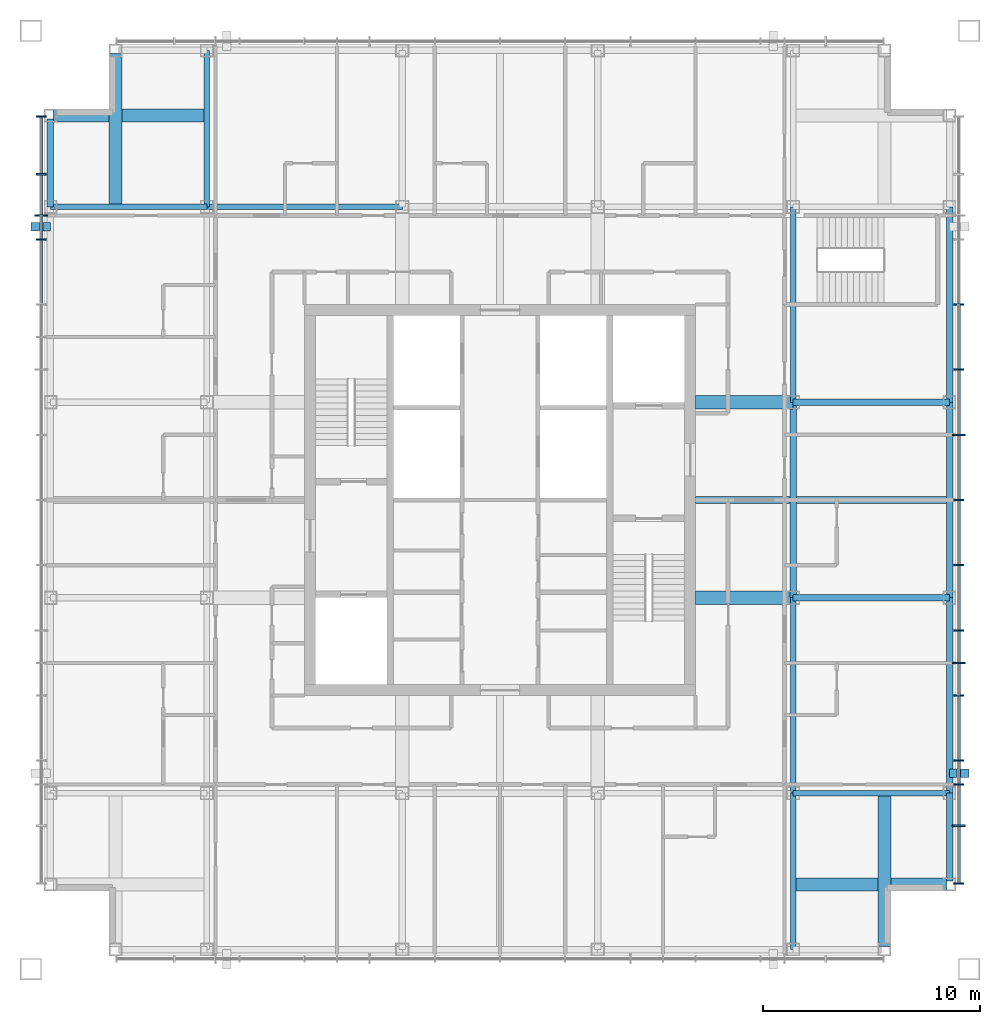
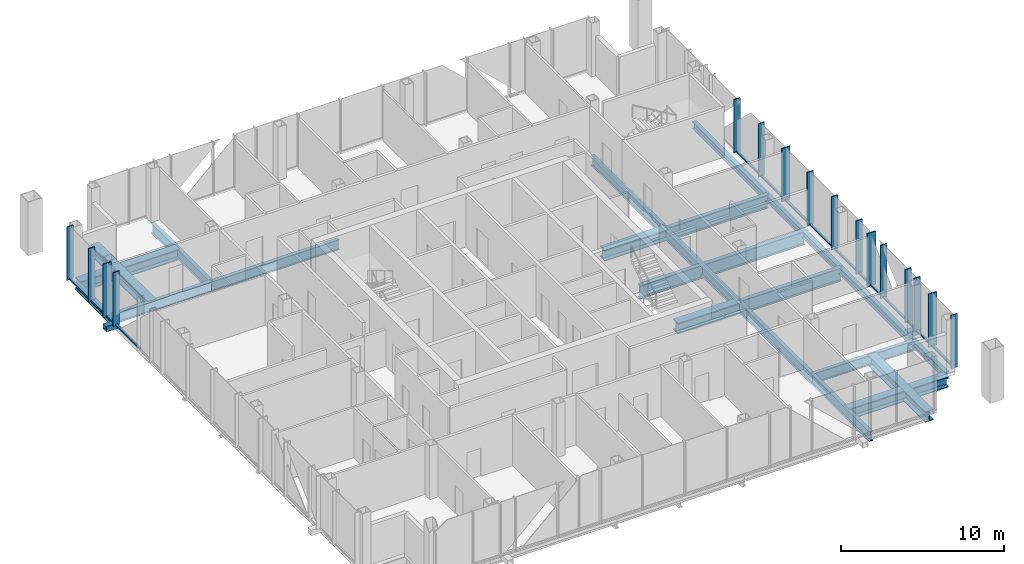
# One storey, part 4 of 14: 33 members, 22 beams, 2 elements without a shape of their own.
"""IFC4 building model written with IfcOpenShell, lengths in metres."""

from ifc_helpers import new_model, si_unit, direction, frame, origin, origin_2d, place, context, subcontext, project, spatial, rectangle, hollow_rectangle, i_section, extrude, material, layer, layer_set, material_profile, profile_set, type_object, element, aggregate, save


model = new_model("IFC4")

# Units and contexts
model_context = context("Model", 3, precision=1e-05, world=origin(), true_north=direction((0.0, 1.0)))
body_context = subcontext(model_context, "Body", "Model", "MODEL_VIEW")
ifc_project = project(units=[si_unit("LENGTHUNIT", "METRE"), si_unit("AREAUNIT", "SQUARE_METRE"), si_unit("VOLUMEUNIT", "CUBIC_METRE"), si_unit("PLANEANGLEUNIT", "RADIAN"), si_unit("MASSUNIT", "GRAM", prefix="KILO")], contexts=[model_context])

# Site, building, storey
site_placement = place(None, origin())
site = spatial("IfcSite", under=ifc_project, at=site_placement, CompositionType="ELEMENT")
building_placement = place(site_placement, origin())
building = spatial("IfcBuilding", under=site, at=building_placement, Name="Malebo Sky Hospital", CompositionType="ELEMENT")
storey_placement = place(building_placement, frame((0.0, 0.0, 258.0)))
storey = spatial("IfcBuildingStorey", under=building, at=storey_placement, Name="L62", CompositionType="ELEMENT", Elevation=258.0)

# Curtain wall, members
ifc_material_1 = material(Name="Anodised aluminium, natural silver", Category="aluminium")
ifc_layer = layer(ifc_material_1, 0.25)
ifc_layer_set = layer_set([ifc_layer], Name="WARD CURTAIN WALL EAST AND WEST")
curtain_wall_type = type_object("IfcCurtainWallType", Name="WARD CURTAIN WALL EAST AND WEST", PredefinedType="NOTDEFINED", material=ifc_layer_set)
curtain_wall_1_placement = place(storey_placement, origin())
curtain_wall_1 = element("IfcCurtainWall", 1, at=curtain_wall_1_placement, inside=storey, type_object=curtain_wall_type, Name="EW curtain wall W", PredefinedType="NOTDEFINED")
ifc_material_profile_1 = material_profile(ifc_material_1, rectangle(XDim=0.14990234375, YDim=0.10009765625, at=origin_2d()), Name="ALUMINIUM TRANSOM 150x100")
ifc_profile_set_1 = profile_set([ifc_material_profile_1], Name="Anodised aluminium, natural silver")
member_type_1 = type_object("IfcMemberType", Name="ALUMINIUM TRANSOM 150x100", PredefinedType="USERDEFINED", material=ifc_profile_set_1)
member_1_placement = place(storey_placement, frame((38.875, 71.03759765625, 0.050048828125), z_axis=(0.0, 1.0, 0.0), x_axis=(-1.0, 0.0, 0.0)))
member_1 = element("IfcMember", 2, at=member_1_placement, type_object=member_type_1, Name="Transom 13", ObjectType="TRANSOM", PredefinedType="USERDEFINED", context=body_context, shape_type="SweptSolid", body=[
    extrude(rectangle(XDim=0.14990234375, YDim=0.10009765625, at=origin_2d()), origin(), (0.0, 0.0, 1.0), 2.9248046875),
])
member_2_placement = place(storey_placement, frame((38.875, 74.03759765625, 0.050048828125), z_axis=(0.0, 1.0, 0.0), x_axis=(-1.0, 0.0, 0.0)))
member_2 = element("IfcMember", 3, at=member_2_placement, type_object=member_type_1, Name="Transom 14", ObjectType="TRANSOM", PredefinedType="USERDEFINED", context=body_context, shape_type="SweptSolid", body=[
    extrude(rectangle(XDim=0.14990234375, YDim=0.10009765625, at=origin_2d()), origin(), (0.0, 0.0, 1.0), 1.02490234375),
])
member_3_placement = place(storey_placement, frame((38.875, 75.137451171875, 0.050048828125), z_axis=(0.0, 1.0, 0.0), x_axis=(-1.0, 0.0, 0.0)))
member_3 = element("IfcMember", 4, at=member_3_placement, type_object=member_type_1, Name="Transom 15", ObjectType="TRANSOM", PredefinedType="USERDEFINED", context=body_context, shape_type="SweptSolid", body=[
    extrude(rectangle(XDim=0.14990234375, YDim=0.10009765625, at=origin_2d()), origin(), (0.0, 0.0, 1.0), 1.824951171875),
])
member_4_placement = place(storey_placement, frame((38.875, 77.03759765625, 0.050048828125), z_axis=(0.0, 1.0, 0.0), x_axis=(-1.0, 0.0, 0.0)))
member_4 = element("IfcMember", 5, at=member_4_placement, type_object=member_type_1, Name="Transom 16", ObjectType="TRANSOM", PredefinedType="USERDEFINED", context=body_context, shape_type="SweptSolid", body=[
    extrude(rectangle(XDim=0.14990234375, YDim=0.10009765625, at=origin_2d()), origin(), (0.0, 0.0, 1.0), 2.58740234375),
])

curtain_wall_2_placement = place(storey_placement, origin())
curtain_wall_2 = element("IfcCurtainWall", 6, at=curtain_wall_2_placement, inside=storey, type_object=curtain_wall_type, Name="EW curtain wall E", PredefinedType="NOTDEFINED")
member_5_placement = place(storey_placement, frame((81.125, 70.96240234375, 0.050048828125), z_axis=(0.0, -1.0, 0.0), x_axis=(1.0, 0.0, 0.0)))
member_5 = element("IfcMember", 7, at=member_5_placement, type_object=member_type_1, Name="Transom 5", ObjectType="TRANSOM", PredefinedType="USERDEFINED", context=body_context, shape_type="SweptSolid", body=[
    extrude(rectangle(XDim=0.14990234375, YDim=0.10009765625, at=origin_2d()), origin(), (0.0, 0.0, 1.0), 2.9248046875),
])
member_6_placement = place(storey_placement, frame((81.125, 67.96240234375, 0.050048828125), z_axis=(0.0, -1.0, 0.0), x_axis=(1.0, 0.0, 0.0)))
member_6 = element("IfcMember", 8, at=member_6_placement, type_object=member_type_1, Name="Transom 6", ObjectType="TRANSOM", PredefinedType="USERDEFINED", context=body_context, shape_type="SweptSolid", body=[
    extrude(rectangle(XDim=0.14990234375, YDim=0.10009765625, at=origin_2d()), origin(), (0.0, 0.0, 1.0), 2.9248046875),
])
member_7_placement = place(storey_placement, frame((81.125, 64.96240234375, 0.050048828125), z_axis=(0.0, -1.0, 0.0), x_axis=(1.0, 0.0, 0.0)))
member_7 = element("IfcMember", 9, at=member_7_placement, type_object=member_type_1, Name="Transom 7", ObjectType="TRANSOM", PredefinedType="USERDEFINED", context=body_context, shape_type="SweptSolid", body=[
    extrude(rectangle(XDim=0.14990234375, YDim=0.10009765625, at=origin_2d()), origin(), (0.0, 0.0, 1.0), 2.9248046875),
])
member_8_placement = place(storey_placement, frame((81.125, 61.96240234375, 0.050048828125), z_axis=(0.0, -1.0, 0.0), x_axis=(1.0, 0.0, 0.0)))
member_8 = element("IfcMember", 10, at=member_8_placement, type_object=member_type_1, Name="Transom 8", ObjectType="TRANSOM", PredefinedType="USERDEFINED", context=body_context, shape_type="SweptSolid", body=[
    extrude(rectangle(XDim=0.14990234375, YDim=0.10009765625, at=origin_2d()), origin(), (0.0, 0.0, 1.0), 2.9248046875),
])
member_9_placement = place(storey_placement, frame((81.125, 58.96240234375, 0.050048828125), z_axis=(0.0, -1.0, 0.0), x_axis=(1.0, 0.0, 0.0)))
member_9 = element("IfcMember", 11, at=member_9_placement, type_object=member_type_1, Name="Transom 9", ObjectType="TRANSOM", PredefinedType="USERDEFINED", context=body_context, shape_type="SweptSolid", body=[
    extrude(rectangle(XDim=0.14990234375, YDim=0.10009765625, at=origin_2d()), origin(), (0.0, 0.0, 1.0), 2.9248046875),
])
member_10_placement = place(storey_placement, frame((81.125, 55.96240234375, 0.050048828125), z_axis=(0.0, -1.0, 0.0), x_axis=(1.0, 0.0, 0.0)))
member_10 = element("IfcMember", 12, at=member_10_placement, type_object=member_type_1, Name="Transom 10", ObjectType="TRANSOM", PredefinedType="USERDEFINED", context=body_context, shape_type="SweptSolid", body=[
    extrude(rectangle(XDim=0.14990234375, YDim=0.10009765625, at=origin_2d()), origin(), (0.0, 0.0, 1.0), 1.4248046875),
])
member_11_placement = place(storey_placement, frame((81.125, 54.46240234375, 0.050048828125), z_axis=(0.0, -1.0, 0.0), x_axis=(1.0, 0.0, 0.0)))
member_11 = element("IfcMember", 13, at=member_11_placement, type_object=member_type_1, Name="Transom 11", ObjectType="TRANSOM", PredefinedType="USERDEFINED", context=body_context, shape_type="SweptSolid", body=[
    extrude(rectangle(XDim=0.14990234375, YDim=0.10009765625, at=origin_2d()), origin(), (0.0, 0.0, 1.0), 1.4248046875),
])
member_12_placement = place(storey_placement, frame((81.125, 52.96240234375, 0.050048828125), z_axis=(0.0, -1.0, 0.0), x_axis=(1.0, 0.0, 0.0)))
member_12 = element("IfcMember", 14, at=member_12_placement, type_object=member_type_1, Name="Transom 12", ObjectType="TRANSOM", PredefinedType="USERDEFINED", context=body_context, shape_type="SweptSolid", body=[
    extrude(rectangle(XDim=0.14990234375, YDim=0.10009765625, at=origin_2d()), origin(), (0.0, 0.0, 1.0), 2.9248046875),
])
member_13_placement = place(storey_placement, frame((81.125, 49.96240234375, 0.050048828125), z_axis=(0.0, -1.0, 0.0), x_axis=(1.0, 0.0, 0.0)))
member_13 = element("IfcMember", 15, at=member_13_placement, type_object=member_type_1, Name="Transom 13", ObjectType="TRANSOM", PredefinedType="USERDEFINED", context=body_context, shape_type="SweptSolid", body=[
    extrude(rectangle(XDim=0.14990234375, YDim=0.10009765625, at=origin_2d()), origin(), (0.0, 0.0, 1.0), 1.02490234375),
])
member_14_placement = place(storey_placement, frame((81.125, 48.862548828125, 0.050048828125), z_axis=(0.0, -1.0, 0.0), x_axis=(1.0, 0.0, 0.0)))
member_14 = element("IfcMember", 16, at=member_14_placement, type_object=member_type_1, Name="Transom 14", ObjectType="TRANSOM", PredefinedType="USERDEFINED", context=body_context, shape_type="SweptSolid", body=[
    extrude(rectangle(XDim=0.14990234375, YDim=0.10009765625, at=origin_2d()), origin(), (0.0, 0.0, 1.0), 1.824951171875),
])
member_15_placement = place(storey_placement, frame((81.125, 46.96240234375, 0.050048828125), z_axis=(0.0, -1.0, 0.0), x_axis=(1.0, 0.0, 0.0)))
member_15 = element("IfcMember", 17, at=member_15_placement, type_object=member_type_1, Name="Transom 15", ObjectType="TRANSOM", PredefinedType="USERDEFINED", context=body_context, shape_type="SweptSolid", body=[
    extrude(rectangle(XDim=0.14990234375, YDim=0.10009765625, at=origin_2d()), origin(), (0.0, 0.0, 1.0), 2.58740234375),
])

# Members
ifc_material_2 = material(Name="Steel S355", Category="steel")
ifc_material_profile_2 = material_profile(ifc_material_2, hollow_rectangle(XDim=0.39990234375, YDim=0.39990234375, WallThickness=0.02001953125, at=origin_2d()), Name="SHS 400x20")
ifc_profile_set_2 = profile_set([ifc_material_profile_2], Name="Steel S355")
member_type_2 = type_object("IfcMemberType", Name="BRACE STRUT SHS 400x20", PredefinedType="STRUT", material=ifc_profile_set_2)
for number, where, z_axis, x_axis, name in (
    (18, (81.60009765625, 49.424560546875, -0.39990234375), (-1.0, 0.0, 0.0), (0.0, -1.0, 0.0), "Brace strut DE1 L62"),
    (19, (38.39990234375, 74.575439453125, -0.39990234375), (1.0, 0.0, 0.0), (0.0, 1.0, 0.0), "Brace strut DW1 L62"),
):
    element("IfcMember", number, at=place(storey_placement, frame(where, z_axis=z_axis, x_axis=x_axis)), inside=storey, type_object=member_type_2, Name=name, PredefinedType="STRUT", context=body_context, shape_type="SweptSolid", body=[
        extrude(hollow_rectangle(XDim=0.39990234375, YDim=0.39990234375, WallThickness=0.02001953125, at=origin_2d()), origin(), (0.0, 0.0, 1.0), 0.900146484375),
    ])

# Member
ifc_material_profile_3 = material_profile(ifc_material_1, rectangle(XDim=0.074951171875, YDim=0.449951171875, at=origin_2d()), Name="CW2 ALUMINIUM FIN MULLION 75x450")
ifc_profile_set_3 = profile_set([ifc_material_profile_3], Name="Anodised aluminium, natural silver")
member_type_3 = type_object("IfcMemberType", Name="CW2 ALUMINIUM FIN MULLION 75x450", PredefinedType="MULLION", material=ifc_profile_set_3)
member_16_placement = place(storey_placement, frame((38.875, 74.0, 0.0), z_axis=(0.0, 0.0, 1.0), x_axis=(0.0, 1.0, 0.0)))
member_16 = element("IfcMember", 20, at=member_16_placement, type_object=member_type_3, Name="Fin mullion 14", PredefinedType="MULLION", context=body_context, shape_type="SweptSolid", body=[
    extrude(rectangle(XDim=0.074951171875, YDim=0.449951171875, at=origin_2d()), origin(), (0.0, 0.0, 1.0), 4.0),
])

member_17_placement = place(storey_placement, frame((38.875, 77.0, 0.0), z_axis=(0.0, 0.0, 1.0), x_axis=(0.0, 1.0, 0.0)))
member_17 = element("IfcMember", 21, at=member_17_placement, type_object=member_type_3, Name="Fin mullion 16", PredefinedType="MULLION", context=body_context, shape_type="SweptSolid", body=[
    extrude(rectangle(XDim=0.074951171875, YDim=0.449951171875, at=origin_2d()), origin(), (0.0, 0.0, 1.0), 4.0),
])

member_18_placement = place(storey_placement, frame((38.875, 79.66259765625, 0.0), z_axis=(0.0, 0.0, 1.0), x_axis=(0.0, 1.0, 0.0)))
member_18 = element("IfcMember", 22, at=member_18_placement, type_object=member_type_3, Name="Fin mullion 17", PredefinedType="MULLION", context=body_context, shape_type="SweptSolid", body=[
    extrude(rectangle(XDim=0.074951171875, YDim=0.449951171875, at=origin_2d()), origin(), (0.0, 0.0, 1.0), 4.0),
])

member_19_placement = place(storey_placement, frame((81.125, 71.0, 0.0), z_axis=(0.0, 0.0, 1.0), x_axis=(0.0, -1.0, 0.0)))
member_19 = element("IfcMember", 23, at=member_19_placement, type_object=member_type_3, Name="Fin mullion 5", PredefinedType="MULLION", context=body_context, shape_type="SweptSolid", body=[
    extrude(rectangle(XDim=0.074951171875, YDim=0.449951171875, at=origin_2d()), origin(), (0.0, 0.0, 1.0), 4.0),
])

member_20_placement = place(storey_placement, frame((81.125, 68.0, 0.0), z_axis=(0.0, 0.0, 1.0), x_axis=(0.0, -1.0, 0.0)))
member_20 = element("IfcMember", 24, at=member_20_placement, type_object=member_type_3, Name="Fin mullion 6", PredefinedType="MULLION", context=body_context, shape_type="SweptSolid", body=[
    extrude(rectangle(XDim=0.074951171875, YDim=0.449951171875, at=origin_2d()), origin(), (0.0, 0.0, 1.0), 4.0),
])

member_21_placement = place(storey_placement, frame((81.125, 62.0, 0.0), z_axis=(0.0, 0.0, 1.0), x_axis=(0.0, -1.0, 0.0)))
member_21 = element("IfcMember", 25, at=member_21_placement, type_object=member_type_3, Name="Fin mullion 8", PredefinedType="MULLION", context=body_context, shape_type="SweptSolid", body=[
    extrude(rectangle(XDim=0.074951171875, YDim=0.449951171875, at=origin_2d()), origin(), (0.0, 0.0, 1.0), 4.0),
])

member_22_placement = place(storey_placement, frame((81.125, 59.0, 0.0), z_axis=(0.0, 0.0, 1.0), x_axis=(0.0, -1.0, 0.0)))
member_22 = element("IfcMember", 26, at=member_22_placement, type_object=member_type_3, Name="Fin mullion 9", PredefinedType="MULLION", context=body_context, shape_type="SweptSolid", body=[
    extrude(rectangle(XDim=0.074951171875, YDim=0.449951171875, at=origin_2d()), origin(), (0.0, 0.0, 1.0), 4.0),
])

member_23_placement = place(storey_placement, frame((81.125, 56.0, 0.0), z_axis=(0.0, 0.0, 1.0), x_axis=(0.0, -1.0, 0.0)))
member_23 = element("IfcMember", 27, at=member_23_placement, type_object=member_type_3, Name="Fin mullion 10", PredefinedType="MULLION", context=body_context, shape_type="SweptSolid", body=[
    extrude(rectangle(XDim=0.074951171875, YDim=0.449951171875, at=origin_2d()), origin(), (0.0, 0.0, 1.0), 4.0),
])

member_24_placement = place(storey_placement, frame((81.125, 53.0, 0.0), z_axis=(0.0, 0.0, 1.0), x_axis=(0.0, -1.0, 0.0)))
member_24 = element("IfcMember", 28, at=member_24_placement, type_object=member_type_3, Name="Fin mullion 12", PredefinedType="MULLION", context=body_context, shape_type="SweptSolid", body=[
    extrude(rectangle(XDim=0.074951171875, YDim=0.449951171875, at=origin_2d()), origin(), (0.0, 0.0, 1.0), 4.0),
])

member_25_placement = place(storey_placement, frame((81.125, 50.0, 0.0), z_axis=(0.0, 0.0, 1.0), x_axis=(0.0, -1.0, 0.0)))
member_25 = element("IfcMember", 29, at=member_25_placement, type_object=member_type_3, Name="Fin mullion 13", PredefinedType="MULLION", context=body_context, shape_type="SweptSolid", body=[
    extrude(rectangle(XDim=0.074951171875, YDim=0.449951171875, at=origin_2d()), origin(), (0.0, 0.0, 1.0), 4.0),
])

member_26_placement = place(storey_placement, frame((81.125, 48.89990234375, 0.0), z_axis=(0.0, 0.0, 1.0), x_axis=(0.0, -1.0, 0.0)))
member_26 = element("IfcMember", 30, at=member_26_placement, type_object=member_type_3, Name="Fin mullion 14", PredefinedType="MULLION", context=body_context, shape_type="SweptSolid", body=[
    extrude(rectangle(XDim=0.074951171875, YDim=0.449951171875, at=origin_2d()), origin(), (0.0, 0.0, 1.0), 4.0),
])

member_27_placement = place(storey_placement, frame((81.125, 44.33740234375, 0.0), z_axis=(0.0, 0.0, 1.0), x_axis=(0.0, -1.0, 0.0)))
member_27 = element("IfcMember", 31, at=member_27_placement, type_object=member_type_3, Name="Fin mullion 16", PredefinedType="MULLION", context=body_context, shape_type="SweptSolid", body=[
    extrude(rectangle(XDim=0.074951171875, YDim=0.449951171875, at=origin_2d()), origin(), (0.0, 0.0, 1.0), 4.0),
])

ifc_material_profile_4 = material_profile(ifc_material_1, rectangle(XDim=0.074951171875, YDim=0.60009765625, at=origin_2d()), Name="CW2 ALUMINIUM FIN MULLION 75x600")
ifc_profile_set_4 = profile_set([ifc_material_profile_4], Name="Anodised aluminium, natural silver")
member_type_4 = type_object("IfcMemberType", Name="CW2 ALUMINIUM FIN MULLION 75x600", PredefinedType="MULLION", material=ifc_profile_set_4)
member_28_placement = place(storey_placement, frame((38.875, 75.10009765625, 0.0), z_axis=(0.0, 0.0, 1.0), x_axis=(0.0, 1.0, 0.0)))
member_28 = element("IfcMember", 32, at=member_28_placement, type_object=member_type_4, Name="Fin mullion 15", PredefinedType="MULLION", context=body_context, shape_type="SweptSolid", body=[
    extrude(rectangle(XDim=0.074951171875, YDim=0.60009765625, at=origin_2d()), origin(), (0.0, 0.0, 1.0), 4.0),
])

aggregate(curtain_wall_1, [member_16, member_28, member_17, member_18, member_1, member_2, member_3, member_4])

member_29_placement = place(storey_placement, frame((81.125, 65.0, 0.0), z_axis=(0.0, 0.0, 1.0), x_axis=(0.0, -1.0, 0.0)))
member_29 = element("IfcMember", 33, at=member_29_placement, type_object=member_type_4, Name="Fin mullion 7", PredefinedType="MULLION", context=body_context, shape_type="SweptSolid", body=[
    extrude(rectangle(XDim=0.074951171875, YDim=0.60009765625, at=origin_2d()), origin(), (0.0, 0.0, 1.0), 4.0),
])

member_30_placement = place(storey_placement, frame((81.125, 54.5, 0.0), z_axis=(0.0, 0.0, 1.0), x_axis=(0.0, -1.0, 0.0)))
member_30 = element("IfcMember", 34, at=member_30_placement, type_object=member_type_4, Name="Fin mullion 11", PredefinedType="MULLION", context=body_context, shape_type="SweptSolid", body=[
    extrude(rectangle(XDim=0.074951171875, YDim=0.60009765625, at=origin_2d()), origin(), (0.0, 0.0, 1.0), 4.0),
])

member_31_placement = place(storey_placement, frame((81.125, 47.0, 0.0), z_axis=(0.0, 0.0, 1.0), x_axis=(0.0, -1.0, 0.0)))
member_31 = element("IfcMember", 35, at=member_31_placement, type_object=member_type_4, Name="Fin mullion 15", PredefinedType="MULLION", context=body_context, shape_type="SweptSolid", body=[
    extrude(rectangle(XDim=0.074951171875, YDim=0.60009765625, at=origin_2d()), origin(), (0.0, 0.0, 1.0), 4.0),
])

aggregate(curtain_wall_2, [member_19, member_20, member_29, member_21, member_22, member_23, member_30, member_24, member_25, member_26, member_31, member_27, member_5, member_6, member_7, member_8, member_9, member_10, member_11, member_12, member_13, member_14, member_15])

# Beams
ifc_material_profile_5 = material_profile(ifc_material_2, i_section(OverallWidth=0.305908203125, OverallDepth=0.52392578125, WebThickness=0.02099609375, FlangeThickness=0.0400390625, FilletRadius=0.027099609375, at=origin_2d()), Name="HEM 500")
ifc_profile_set_5 = profile_set([ifc_material_profile_5], Name="Steel S355")
beam_type_1 = type_object("IfcBeamType", Name="EDGE BEAM HEM 500", PredefinedType="BEAM", material=ifc_profile_set_5)
for number, where, z_axis, x_axis, name in (
    (36, (39.300048828125, 75.5, -0.511962890625), (0.0, 1.0, 0.0), (-1.0, 0.0, 0.0), "Beam 004 L62"),
    (37, (80.699951171875, 44.449951171875, -0.511962890625), (0.0, 1.0, 0.0), (-1.0, 0.0, 0.0), "Beam 029 L62"),
):
    element("IfcBeam", number, at=place(storey_placement, frame(where, z_axis=z_axis, x_axis=x_axis)), inside=storey, type_object=beam_type_1, Name=name, PredefinedType="BEAM", context=body_context, shape_type="SweptSolid", body=[
        extrude(i_section(OverallWidth=0.305908203125, OverallDepth=0.52392578125, WebThickness=0.02099609375, FlangeThickness=0.0400390625, FilletRadius=0.027099609375, at=origin_2d()), origin(), (0.0, 0.0, 1.0), 4.050048828125),
    ])
for number, where, z_axis, x_axis, name in (
    (38, (80.699951171875, 48.5, -0.511962890625), (0.0, 1.0, 0.0), (-1.0, 0.0, 0.0), "Beam 030 L62"),
    (39, (80.699951171875, 57.5, -0.511962890625), (0.0, 1.0, 0.0), (-1.0, 0.0, 0.0), "Beam 031 L62"),
    (40, (80.699951171875, 66.5, -0.511962890625), (0.0, 1.0, 0.0), (-1.0, 0.0, 0.0), "Beam 032 L62"),
):
    element("IfcBeam", number, at=place(storey_placement, frame(where, z_axis=z_axis, x_axis=x_axis)), inside=storey, type_object=beam_type_1, Name=name, PredefinedType="BEAM", context=body_context, shape_type="SweptSolid", body=[
        extrude(i_section(OverallWidth=0.305908203125, OverallDepth=0.52392578125, WebThickness=0.02099609375, FlangeThickness=0.0400390625, FilletRadius=0.027099609375, at=origin_2d()), origin(), (0.0, 0.0, 1.0), 9.0),
    ])
ifc_material_profile_6 = material_profile(ifc_material_2, i_section(OverallWidth=0.300048828125, OverallDepth=1.0, WebThickness=0.01904296875, FlangeThickness=0.035888671875, FilletRadius=0.030029296875, at=origin_2d()), Name="HEB 1000")
ifc_profile_set_6 = profile_set([ifc_material_profile_6], Name="Steel S355")
beam_type_2 = type_object("IfcBeamType", Name="FLOOR BEAM HEB 1000", PredefinedType="BEAM", material=ifc_profile_set_6)
beam_1_placement = place(storey_placement, frame((73.5, 57.5, -0.75), z_axis=(1.0, 0.0, 0.0), x_axis=(0.0, 1.0, 0.0)))
element("IfcBeam", 41, at=beam_1_placement, inside=storey, type_object=beam_type_2, Name="Beam 049 L62", PredefinedType="BEAM", context=body_context, shape_type="SweptSolid", body=[
    extrude(i_section(OverallWidth=0.300048828125, OverallDepth=1.0, WebThickness=0.01904296875, FlangeThickness=0.035888671875, FilletRadius=0.030029296875, at=origin_2d()), origin(), (0.0, 0.0, 1.0), 7.199951171875),
])
beam_2_placement = place(storey_placement, frame((69.0, 62.0, -0.75), z_axis=(1.0, 0.0, 0.0), x_axis=(0.0, 1.0, 0.0)))
element("IfcBeam", 42, at=beam_2_placement, inside=storey, type_object=beam_type_2, Name="Beam 051 L62", PredefinedType="BEAM", context=body_context, shape_type="SweptSolid", body=[
    extrude(i_section(OverallWidth=0.300048828125, OverallDepth=1.0, WebThickness=0.01904296875, FlangeThickness=0.035888671875, FilletRadius=0.030029296875, at=origin_2d()), origin(), (0.0, 0.0, 1.0), 11.699951171875),
])
beam_3_placement = place(storey_placement, frame((73.5, 66.5, -0.75), z_axis=(1.0, 0.0, 0.0), x_axis=(0.0, 1.0, 0.0)))
element("IfcBeam", 43, at=beam_3_placement, inside=storey, type_object=beam_type_2, Name="Beam 055 L62", PredefinedType="BEAM", context=body_context, shape_type="SweptSolid", body=[
    extrude(i_section(OverallWidth=0.300048828125, OverallDepth=1.0, WebThickness=0.01904296875, FlangeThickness=0.035888671875, FilletRadius=0.030029296875, at=origin_2d()), origin(), (0.0, 0.0, 1.0), 7.199951171875),
])
ifc_material_profile_7 = material_profile(ifc_material_2, i_section(OverallWidth=0.26708984375, OverallDepth=0.761962890625, WebThickness=0.014404296875, FlangeThickness=0.021484375, FilletRadius=0.01708984375, at=origin_2d()), Name="IPE 750x173")
ifc_profile_set_7 = profile_set([ifc_material_profile_7], Name="Steel S355")
beam_type_3 = type_object("IfcBeamType", Name="FLOOR BEAM IPE 750x173", PredefinedType="BEAM", material=ifc_profile_set_7)
for number, where, z_axis, x_axis, name in (
    (44, (73.5, 48.5, -0.631103515625), (0.0, 1.0, 0.0), (-1.0, 0.0, 0.0), "Beam 023 L62"),
    (45, (73.5, 66.5, -0.631103515625), (0.0, 1.0, 0.0), (-1.0, 0.0, 0.0), "Beam 025 L62"),
    (46, (46.5, 75.5, -0.631103515625), (1.0, 0.0, 0.0), (0.0, 1.0, 0.0), "Beam 057 L62"),
):
    element("IfcBeam", number, at=place(storey_placement, frame(where, z_axis=z_axis, x_axis=x_axis)), inside=storey, type_object=beam_type_3, Name=name, PredefinedType="BEAM", context=body_context, shape_type="SweptSolid", body=[
        extrude(i_section(OverallWidth=0.26708984375, OverallDepth=0.761962890625, WebThickness=0.014404296875, FlangeThickness=0.021484375, FilletRadius=0.01708984375, at=origin_2d()), origin(), (0.0, 0.0, 1.0), 9.0),
    ])
ifc_material_profile_8 = material_profile(ifc_material_2, i_section(OverallWidth=0.60009765625, OverallDepth=0.800048828125, WebThickness=0.0400390625, FlangeThickness=0.06005859375, at=origin_2d()), Name="PG 800x600x40x60")
ifc_profile_set_8 = profile_set([ifc_material_profile_8], Name="Steel S355")
beam_type_4 = type_object("IfcBeamType", Name="FLOOR BEAM PG 800x600x40x60", PredefinedType="BEAM", material=ifc_profile_set_8)
for number, where, z_axis, x_axis, name in (
    (47, (42.300048828125, 75.5, -0.64990234375), (0.0, 1.0, 0.0), (-1.0, 0.0, 0.0), "Beam 006 L62"),
    (48, (77.699951171875, 41.449951171875, -0.64990234375), (0.0, 1.0, 0.0), (-1.0, 0.0, 0.0), "Beam 027 L62"),
    (49, (73.5, 44.300048828125, -0.64990234375), (1.0, 0.0, 0.0), (0.0, 1.0, 0.0), "Beam 040 L62"),
):
    element("IfcBeam", number, at=place(storey_placement, frame(where, z_axis=z_axis, x_axis=x_axis)), inside=storey, type_object=beam_type_4, Name=name, PredefinedType="BEAM", context=body_context, shape_type="SweptSolid", body=[
        extrude(i_section(OverallWidth=0.60009765625, OverallDepth=0.800048828125, WebThickness=0.0400390625, FlangeThickness=0.06005859375, at=origin_2d()), origin(), (0.0, 0.0, 1.0), 7.050048828125),
    ])
for number, where, z_axis, x_axis, name in (
    (50, (69.0, 57.5, -0.64990234375), (1.0, 0.0, 0.0), (0.0, 1.0, 0.0), "Beam 048 L62"),
    (51, (69.0, 66.5, -0.64990234375), (1.0, 0.0, 0.0), (0.0, 1.0, 0.0), "Beam 054 L62"),
):
    element("IfcBeam", number, at=place(storey_placement, frame(where, z_axis=z_axis, x_axis=x_axis)), inside=storey, type_object=beam_type_4, Name=name, PredefinedType="BEAM", context=body_context, shape_type="SweptSolid", body=[
        extrude(i_section(OverallWidth=0.60009765625, OverallDepth=0.800048828125, WebThickness=0.0400390625, FlangeThickness=0.06005859375, at=origin_2d()), origin(), (0.0, 0.0, 1.0), 4.5),
    ])
beam_4_placement = place(storey_placement, frame((39.449951171875, 79.699951171875, -0.64990234375), z_axis=(1.0, 0.0, 0.0), x_axis=(0.0, 1.0, 0.0)))
element("IfcBeam", 52, at=beam_4_placement, inside=storey, type_object=beam_type_4, Name="Beam 061 L62", PredefinedType="BEAM", context=body_context, shape_type="SweptSolid", body=[
    extrude(i_section(OverallWidth=0.60009765625, OverallDepth=0.800048828125, WebThickness=0.0400390625, FlangeThickness=0.06005859375, at=origin_2d()), origin(), (0.0, 0.0, 1.0), 7.050048828125),
])
ifc_material_profile_9 = material_profile(ifc_material_2, i_section(OverallWidth=0.262939453125, OverallDepth=0.7529296875, WebThickness=0.011474609375, FlangeThickness=0.01708984375, FilletRadius=0.01708984375, at=origin_2d()), Name="IPE 750x137")
ifc_profile_set_9 = profile_set([ifc_material_profile_9], Name="Steel S355")
beam_type_5 = type_object("IfcBeamType", Name="FLOOR GIRDER IPE 750x137", PredefinedType="BEAM", material=ifc_profile_set_9)
for number, where, z_axis, x_axis, name in (
    (53, (46.5, 75.5, -0.62646484375), (0.0, 1.0, 0.0), (-1.0, 0.0, 0.0), "Beam 011 L62"),
    (54, (73.5, 41.300048828125, -0.62646484375), (0.0, 1.0, 0.0), (-1.0, 0.0, 0.0), "Beam 022 L62"),
    (55, (73.5, 48.5, -0.62646484375), (1.0, 0.0, 0.0), (0.0, 1.0, 0.0), "Beam 045 L62"),
    (56, (39.300048828125, 75.5, -0.62646484375), (1.0, 0.0, 0.0), (0.0, 1.0, 0.0), "Beam 056 L62"),
):
    element("IfcBeam", number, at=place(storey_placement, frame(where, z_axis=z_axis, x_axis=x_axis)), inside=storey, type_object=beam_type_5, Name=name, PredefinedType="BEAM", context=body_context, shape_type="SweptSolid", body=[
        extrude(i_section(OverallWidth=0.262939453125, OverallDepth=0.7529296875, WebThickness=0.011474609375, FlangeThickness=0.01708984375, FilletRadius=0.01708984375, at=origin_2d()), origin(), (0.0, 0.0, 1.0), 7.199951171875),
    ])
ifc_material_profile_10 = material_profile(ifc_material_2, i_section(OverallWidth=0.300048828125, OverallDepth=0.800048828125, WebThickness=0.017578125, FlangeThickness=0.032958984375, FilletRadius=0.030029296875, at=origin_2d()), Name="HEB 800")
ifc_profile_set_10 = profile_set([ifc_material_profile_10], Name="Steel S355")
beam_type_6 = type_object("IfcBeamType", Name="RING GIRDER HEB 800", PredefinedType="BEAM", material=ifc_profile_set_10)
beam_5_placement = place(storey_placement, frame((73.5, 57.5, -0.64990234375), z_axis=(0.0, 1.0, 0.0), x_axis=(-1.0, 0.0, 0.0)))
element("IfcBeam", 57, at=beam_5_placement, inside=storey, type_object=beam_type_6, Name="Beam 024 L62", PredefinedType="BEAM", context=body_context, shape_type="SweptSolid", body=[
    extrude(i_section(OverallWidth=0.300048828125, OverallDepth=0.800048828125, WebThickness=0.017578125, FlangeThickness=0.032958984375, FilletRadius=0.030029296875, at=origin_2d()), origin(), (0.0, 0.0, 1.0), 9.0),
])

save(model, "model.ifc")
